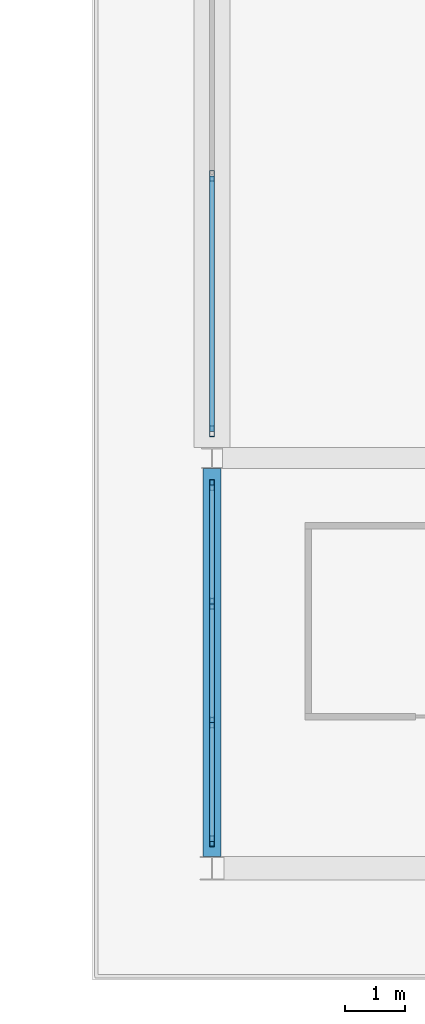
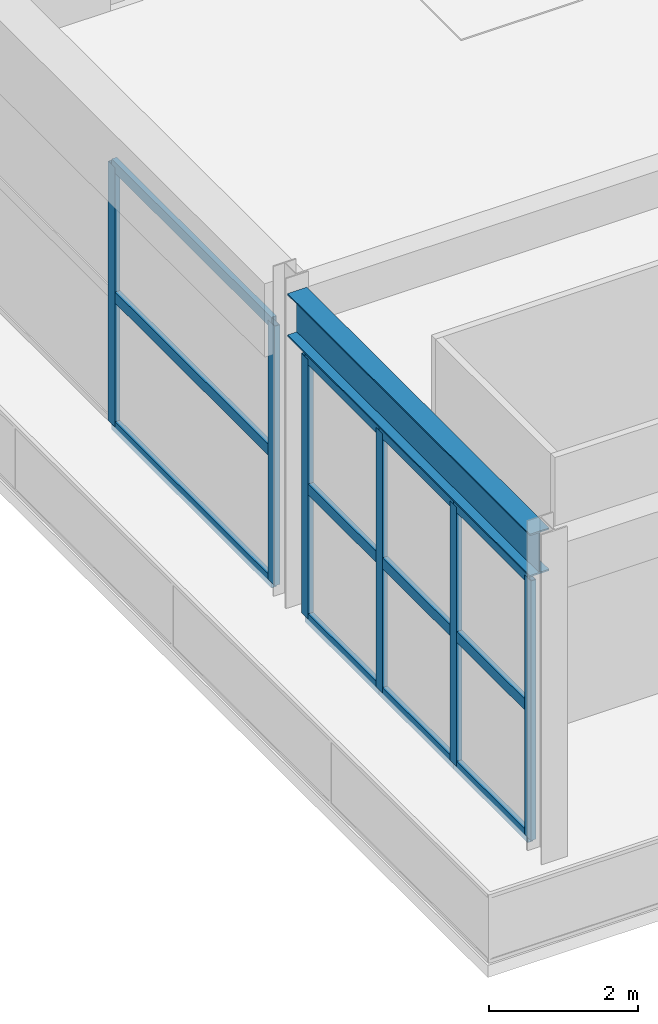
# One storey, part 48 of 117: 18 members, 1 beam, 2 elements without a shape of their own.
"""IFC4 building model written with IfcOpenShell, lengths in metres."""

import ifcopenshell
import ifcopenshell.guid

model = None  # the IFC model being written
_history = None  # IfcOwnerHistory: only IFC2X3 demands one
_inside = {}  # id of a spatial element -> (the spatial element, [elements in it])
_under = {}  # id of a project, library or spatial element -> (it, [spatial elements below it])
_declared = {}  # id of a project -> (the project, [libraries it declares])
_typed = {}  # id of a type object -> (the type object, [elements of that type])
_made_of = {}  # id of a material, layer set ... -> (it, [elements and type objects made of it])


def new_model(schema):
    """Start an empty IFC model of exactly this schema.

    Asked for "IFC4X3", IfcOpenShell would pick the latest addendum, in which some entities
    have other attributes; the version numbers below select the first issue.
    IFC2X3 requires an IfcOwnerHistory on every rooted entity: one is made here for all.
    """
    global model, _history
    if schema == "IFC4X3":
        model = ifcopenshell.file(schema_version=(4, 3, 0, 0))
    else:
        model = ifcopenshell.file(schema=schema)
    _inside.clear()
    _under.clear()
    _declared.clear()
    _typed.clear()
    _made_of.clear()
    _history = None
    if model.schema == "IFC2X3":
        org = make("IfcOrganization", Name="unknown")
        user = make(
            "IfcPersonAndOrganization",
            ThePerson=make("IfcPerson", FamilyName="unknown"),
            TheOrganization=org,
        )
        app = make(
            "IfcApplication",
            ApplicationDeveloper=org,
            Version="unknown",
            ApplicationFullName="unknown",
            ApplicationIdentifier="unknown",
        )
        _history = make(
            "IfcOwnerHistory",
            OwningUser=user,
            OwningApplication=app,
            ChangeAction="ADDED",
            CreationDate=0,
        )
    return model


def make(cls, **values):
    """One entity of the class cls with the attributes given. An attribute that is None is left unset."""
    return model.create_entity(
        cls, **{name: value for name, value in values.items() if value is not None}
    )


def rooted(cls, **values):
    """An entity with a GlobalId (a new one), such as an element, a storey or a relation."""
    return make(cls, GlobalId=ifcopenshell.guid.new(), OwnerHistory=_history, **values)


def si_unit(unit_type, name, prefix=None):
    """IfcSIUnit, for example si_unit("LENGTHUNIT", "METRE", prefix="MILLI")."""
    return make("IfcSIUnit", UnitType=unit_type, Prefix=prefix, Name=name)


def assignment(units):
    """IfcUnitAssignment: the units of a project."""
    return None if units is None else make("IfcUnitAssignment", Units=units)


def point(xyz):
    """IfcCartesianPoint."""
    return None if xyz is None else make("IfcCartesianPoint", Coordinates=xyz)


def direction(xyz):
    """IfcDirection."""
    return None if xyz is None else make("IfcDirection", DirectionRatios=xyz)


def frame(location, z_axis=None, x_axis=None):
    """IfcAxis2Placement3D, a coordinate frame: its origin and axes. An axis left out is left unset."""
    return make(
        "IfcAxis2Placement3D",
        Location=point(location),
        Axis=direction(z_axis),
        RefDirection=direction(x_axis),
    )


def frame_2d(location, x_axis=None):
    """IfcAxis2Placement2D, a coordinate frame in the plane: its origin and x axis."""
    return make(
        "IfcAxis2Placement2D", Location=point(location), RefDirection=direction(x_axis)
    )


def origin():
    """The frame at (0, 0, 0) with its axes left unset."""
    return frame((0.0, 0.0, 0.0))


def origin_2d():
    """The frame at (0, 0) in the plane with its x axis left unset."""
    return frame_2d((0.0, 0.0))


def place(relative_to, where):
    """IfcLocalPlacement: puts the frame where relative to a parent placement (None: the world)."""
    return make(
        "IfcLocalPlacement", PlacementRelTo=relative_to, RelativePlacement=where
    )


def context(
    kind, dimensions, precision=None, world=None, true_north=None, identifier=None
):
    """IfcGeometricRepresentationContext, for example the 3D "Model" context."""
    return make(
        "IfcGeometricRepresentationContext",
        ContextIdentifier=identifier,
        ContextType=kind,
        CoordinateSpaceDimension=dimensions,
        Precision=precision,
        WorldCoordinateSystem=world,
        TrueNorth=true_north,
    )


def subcontext(parent, identifier, kind, view, scale=None):
    """IfcGeometricRepresentationSubContext, for example "Body" below "Model"."""
    return make(
        "IfcGeometricRepresentationSubContext",
        ContextIdentifier=identifier,
        ContextType=kind,
        ParentContext=parent,
        TargetScale=scale,
        TargetView=view,
    )


def project(units=None, contexts=None):
    """IfcProject with its units and contexts."""
    return rooted(
        "IfcProject",
        Name="project",
        RepresentationContexts=contexts,
        UnitsInContext=assignment(units),
    )


def spatial(cls, under=None, at=None, **own):
    """A site, building, storey or space (cls), placed at a placement, below another one or the project."""
    s = rooted(cls, ObjectPlacement=at, **own)
    if under is not None:
        _under.setdefault(under.id(), (under, []))[1].append(s)
    return s


def profile(cls, at=None, kind="AREA", **sizes):
    """A parametric profile (cls). Its sizes go by their IFC names, for example OverallWidth=200.0."""
    return make(cls, ProfileType=kind, Position=at, **sizes)


def hollow_rectangle(**sizes):
    """IfcRectangleHollowProfileDef."""
    return profile("IfcRectangleHollowProfileDef", **sizes)


def i_section(**sizes):
    """IfcIShapeProfileDef."""
    return profile("IfcIShapeProfileDef", **sizes)


def extrude(swept, where, along, depth):
    """IfcExtrudedAreaSolid: the profile swept, set in the frame where, extruded along a direction by depth."""
    return make(
        "IfcExtrudedAreaSolid",
        SweptArea=swept,
        Position=where,
        ExtrudedDirection=direction(along),
        Depth=depth,
    )


def shape(context_of_items, identifier, shape_type, items):
    """IfcShapeRepresentation: the items that make up one representation, for example the "Body"."""
    return make(
        "IfcShapeRepresentation",
        ContextOfItems=context_of_items,
        RepresentationIdentifier=identifier,
        RepresentationType=shape_type,
        Items=items,
    )


def material(Name=None, Category=None):
    """IfcMaterial."""
    return make("IfcMaterial", Name=Name, Category=Category)


def material_profile(
    of_material, cross_section, Name=None, Category=None, Priority=None
):
    """IfcMaterialProfile: a cross section and its material."""
    return make(
        "IfcMaterialProfile",
        Name=Name,
        Material=of_material,
        Profile=cross_section,
        Priority=Priority,
        Category=Category,
    )


def profile_set(profiles, Name=None, composite=None):
    """IfcMaterialProfileSet."""
    return make(
        "IfcMaterialProfileSet",
        Name=Name,
        MaterialProfiles=profiles,
        CompositeProfile=composite,
    )


def made_of(thing, what):
    """Note that an element or type object is made of a material, layer set ...; save() writes the relation."""
    if what is not None:
        _made_of.setdefault(what.id(), (what, []))[1].append(thing)
    return thing


def type_object(cls, material=None, **own):
    """A type object (cls), such as IfcWallType, which elements share."""
    return made_of(rooted(cls, **own), material)


def element(
    cls,
    number,
    at=None,
    inside=None,
    cuts=None,
    type_object=None,
    material=None,
    context=None,
    identifier="Body",
    shape_type=None,
    held_by="IfcProductDefinitionShape",
    body=None,
    shapes=None,
    **own,
):
    """One element of the class cls, such as IfcWall. Its Tag is "e" and its number.

    at: its placement. inside: the storey or other place that contains it. cuts: it is an
    opening in that element (IfcRelVoidsElement). A single representation is given by context,
    identifier, shape_type and body (its items); several are given by shapes. held_by: the class
    of the entity that holds the representations. save() writes the other relations.
    """
    e = rooted(cls, Tag="e%d" % number, ObjectPlacement=at, **own)
    if body is not None:
        shapes = [shape(context, identifier, shape_type, body)]
    if shapes is not None:
        e.Representation = make(held_by, Representations=shapes)
    if inside is not None:
        _inside.setdefault(inside.id(), (inside, []))[1].append(e)
    if cuts is not None:
        rooted(
            "IfcRelVoidsElement", RelatingBuildingElement=cuts, RelatedOpeningElement=e
        )
    if type_object is not None:
        _typed.setdefault(type_object.id(), (type_object, []))[1].append(e)
    return made_of(e, material)


def aggregate(whole, parts):
    """IfcRelAggregates: a whole, such as a stair, and the parts it consists of."""
    return rooted("IfcRelAggregates", RelatingObject=whole, RelatedObjects=parts)


def save(model, path):
    """Write the relations noted so far, then the file.

    IfcRelAggregates (storeys below a building ...), IfcRelContainedInSpatialStructure (elements
    in a storey), IfcRelDefinesByType, IfcRelAssociatesMaterial and IfcRelDeclares: one each for
    every whole, place, type object, material and project.
    """
    for whole, parts in _under.values():
        aggregate(whole, parts)
    for where, things in _inside.values():
        rooted(
            "IfcRelContainedInSpatialStructure",
            RelatedElements=things,
            RelatingStructure=where,
        )
    for kind, things in _typed.values():
        rooted("IfcRelDefinesByType", RelatedObjects=things, RelatingType=kind)
    for what, things in _made_of.values():
        rooted("IfcRelAssociatesMaterial", RelatedObjects=things, RelatingMaterial=what)
    for by, libraries in _declared.values():
        rooted("IfcRelDeclares", RelatingContext=by, RelatedDefinitions=libraries)
    model.write(path)


model = new_model("IFC4")

# Units and contexts
model_context = context("Model", 3, precision=1e-05, world=origin(), true_north=direction((0.0, 1.0)))
body_context = subcontext(model_context, "Body", "Model", "MODEL_VIEW")
ifc_project = project(units=[si_unit("LENGTHUNIT", "METRE"), si_unit("AREAUNIT", "SQUARE_METRE"), si_unit("VOLUMEUNIT", "CUBIC_METRE"), si_unit("PLANEANGLEUNIT", "RADIAN"), si_unit("MASSUNIT", "GRAM", prefix="KILO")], contexts=[model_context])

# Site, building, storey
site_placement = place(None, origin())
site = spatial("IfcSite", under=ifc_project, at=site_placement, CompositionType="ELEMENT")
building_placement = place(site_placement, origin())
building = spatial("IfcBuilding", under=site, at=building_placement, Name="Linyun Crest Stadium", CompositionType="ELEMENT")
storey_placement = place(building_placement, frame((0.0, 0.0, 6.0)))
storey = spatial("IfcBuildingStorey", under=building, at=storey_placement, Name="L02", CompositionType="ELEMENT", Elevation=6.0)

# Beam
ifc_material_1 = material(Name="Steel Q355C", Category="steel")
ifc_material_profile_1 = material_profile(ifc_material_1, i_section(OverallWidth=0.300048828125, OverallDepth=0.699951171875, WebThickness=0.012939453125, FlangeThickness=0.02392578125, at=origin_2d()), Name="HN 700x300")
ifc_profile_set_1 = profile_set([ifc_material_profile_1], Name="Steel Q355C")
beam_type = type_object("IfcBeamType", Name="B12", PredefinedType="BEAM", material=ifc_profile_set_1)
beam_placement = place(storey_placement, frame((58.0, -93.925048828125, 4.800048828125), z_axis=(0.0, 1.0, 0.0), x_axis=(-1.0, 0.0, 0.0)))
element("IfcBeam", 1, at=beam_placement, inside=storey, type_object=beam_type, Name="Frame beam B12 L02 1110", PredefinedType="BEAM", context=body_context, shape_type="SweptSolid", body=[
    extrude(i_section(OverallWidth=0.300048828125, OverallDepth=0.699951171875, WebThickness=0.012939453125, FlangeThickness=0.02392578125, at=origin_2d()), origin(), (0.0, 0.0, 1.0), 6.5),
])

# Curtain wall, members
ifc_material_2 = material(Name="Verdigris steel and low-E curtain wall assembly", Category="steel")
curtain_wall_type = type_object("IfcCurtainWallType", Name="MCW05", PredefinedType="NOTDEFINED", material=ifc_material_2)
curtain_wall_1_placement = place(storey_placement, origin())
curtain_wall_1 = element("IfcCurtainWall", 2, at=curtain_wall_1_placement, inside=storey, type_object=curtain_wall_type, Name="CWR-161", PredefinedType="NOTDEFINED")
ifc_material_3 = material(Name="Verdigris painted steel Q355B mullion", Category="steel")
ifc_material_profile_2 = material_profile(ifc_material_3, hollow_rectangle(XDim=0.080078125, YDim=0.179931640625, WallThickness=0.006103515625, at=origin_2d()), Name="RHS 180x80x6")
ifc_profile_set_2 = profile_set([ifc_material_profile_2], Name="Verdigris painted steel Q355B mullion")
member_type_1 = type_object("IfcMemberType", Name="ML02", PredefinedType="MULLION", material=ifc_profile_set_2)
member_1_placement = place(storey_placement, frame((58.0, -93.675048828125, 0.0), z_axis=(0.0, 0.0, 1.0), x_axis=(-1.0, 0.0, 0.0)))
member_1 = element("IfcMember", 3, at=member_1_placement, type_object=member_type_1, Name="CWR-161 mullion 1", PredefinedType="MULLION", context=body_context, shape_type="SweptSolid", body=[
    extrude(hollow_rectangle(XDim=0.080078125, YDim=0.179931640625, WallThickness=0.006103515625, at=origin_2d()), origin(), (0.0, 0.0, 1.0), 4.25),
])
member_2_placement = place(storey_placement, frame((58.0, -91.68310546875, 0.0), z_axis=(0.0, 0.0, 1.0), x_axis=(-1.0, 0.0, 0.0)))
member_2 = element("IfcMember", 4, at=member_2_placement, type_object=member_type_1, Name="CWR-161 mullion 2", PredefinedType="MULLION", context=body_context, shape_type="SweptSolid", body=[
    extrude(hollow_rectangle(XDim=0.080078125, YDim=0.179931640625, WallThickness=0.006103515625, at=origin_2d()), origin(), (0.0, 0.0, 1.0), 4.25),
])
member_3_placement = place(storey_placement, frame((58.0, -89.69189453125, 0.0), z_axis=(0.0, 0.0, 1.0), x_axis=(-1.0, 0.0, 0.0)))
member_3 = element("IfcMember", 5, at=member_3_placement, type_object=member_type_1, Name="CWR-161 mullion 3", PredefinedType="MULLION", context=body_context, shape_type="SweptSolid", body=[
    extrude(hollow_rectangle(XDim=0.080078125, YDim=0.179931640625, WallThickness=0.006103515625, at=origin_2d()), origin(), (0.0, 0.0, 1.0), 4.25),
])
member_4_placement = place(storey_placement, frame((58.0, -87.699951171875, 0.0), z_axis=(0.0, 0.0, 1.0), x_axis=(-1.0, 0.0, 0.0)))
member_4 = element("IfcMember", 6, at=member_4_placement, type_object=member_type_1, Name="CWR-161 mullion 4", PredefinedType="MULLION", context=body_context, shape_type="SweptSolid", body=[
    extrude(hollow_rectangle(XDim=0.080078125, YDim=0.179931640625, WallThickness=0.006103515625, at=origin_2d()), origin(), (0.0, 0.0, 1.0), 4.25),
])

curtain_wall_2_placement = place(storey_placement, origin())
curtain_wall_2 = element("IfcCurtainWall", 7, at=curtain_wall_2_placement, inside=storey, type_object=curtain_wall_type, Name="CWR-162", PredefinedType="NOTDEFINED")
member_5_placement = place(storey_placement, frame((58.0, -86.800048828125, 0.0), z_axis=(0.0, 0.0, 1.0), x_axis=(-1.0, 0.0, 0.0)))
member_5 = element("IfcMember", 8, at=member_5_placement, type_object=member_type_1, Name="CWR-162 mullion 1", PredefinedType="MULLION", context=body_context, shape_type="SweptSolid", body=[
    extrude(hollow_rectangle(XDim=0.080078125, YDim=0.179931640625, WallThickness=0.006103515625, at=origin_2d()), origin(), (0.0, 0.0, 1.0), 4.25),
])
member_6_placement = place(storey_placement, frame((58.0, -82.51708984375, 0.0), z_axis=(0.0, 0.0, 1.0), x_axis=(-1.0, 0.0, 0.0)))
member_6 = element("IfcMember", 9, at=member_6_placement, type_object=member_type_1, Name="CWR-162 mullion 2", PredefinedType="MULLION", context=body_context, shape_type="SweptSolid", body=[
    extrude(hollow_rectangle(XDim=0.080078125, YDim=0.179931640625, WallThickness=0.006103515625, at=origin_2d()), origin(), (0.0, 0.0, 1.0), 4.25),
])

# Member
ifc_material_4 = material(Name="Verdigris painted steel Q355B transom", Category="steel")
ifc_material_profile_3 = material_profile(ifc_material_4, hollow_rectangle(XDim=0.080078125, YDim=0.179931640625, WallThickness=0.006103515625, at=origin_2d()), Name="RHS 180x80x6")
ifc_profile_set_3 = profile_set([ifc_material_profile_3], Name="Verdigris painted steel Q355B transom")
member_type_2 = type_object("IfcMemberType", Name="TR02", PredefinedType="USERDEFINED", material=ifc_profile_set_3)
member_7_placement = place(storey_placement, frame((58.0, -93.675048828125, 0.0), z_axis=(0.0, 1.0, 0.0), x_axis=(-1.0, 0.0, 0.0)))
member_7 = element("IfcMember", 10, at=member_7_placement, type_object=member_type_2, Name="CWR-161 transom 1.1", ObjectType="TRANSOM", PredefinedType="USERDEFINED", context=body_context, shape_type="SweptSolid", body=[
    extrude(hollow_rectangle(XDim=0.080078125, YDim=0.179931640625, WallThickness=0.006103515625, at=origin_2d()), origin(), (0.0, 0.0, 1.0), 1.991943359375),
])

member_8_placement = place(storey_placement, frame((58.0, -93.675048828125, 2.125), z_axis=(0.0, 1.0, 0.0), x_axis=(-1.0, 0.0, 0.0)))
member_8 = element("IfcMember", 11, at=member_8_placement, type_object=member_type_2, Name="CWR-161 transom 1.2", ObjectType="TRANSOM", PredefinedType="USERDEFINED", context=body_context, shape_type="SweptSolid", body=[
    extrude(hollow_rectangle(XDim=0.080078125, YDim=0.179931640625, WallThickness=0.006103515625, at=origin_2d()), origin(), (0.0, 0.0, 1.0), 1.991943359375),
])

member_9_placement = place(storey_placement, frame((58.0, -93.675048828125, 4.25), z_axis=(0.0, 1.0, 0.0), x_axis=(-1.0, 0.0, 0.0)))
member_9 = element("IfcMember", 12, at=member_9_placement, type_object=member_type_2, Name="CWR-161 transom 1.3", ObjectType="TRANSOM", PredefinedType="USERDEFINED", context=body_context, shape_type="SweptSolid", body=[
    extrude(hollow_rectangle(XDim=0.080078125, YDim=0.179931640625, WallThickness=0.006103515625, at=origin_2d()), origin(), (0.0, 0.0, 1.0), 1.991943359375),
])

member_10_placement = place(storey_placement, frame((58.0, -91.68310546875, 0.0), z_axis=(0.0, 1.0, 0.0), x_axis=(-1.0, 0.0, 0.0)))
member_10 = element("IfcMember", 13, at=member_10_placement, type_object=member_type_2, Name="CWR-161 transom 2.1", ObjectType="TRANSOM", PredefinedType="USERDEFINED", context=body_context, shape_type="SweptSolid", body=[
    extrude(hollow_rectangle(XDim=0.080078125, YDim=0.179931640625, WallThickness=0.006103515625, at=origin_2d()), origin(), (0.0, 0.0, 1.0), 1.9912109375),
])

member_11_placement = place(storey_placement, frame((58.0, -91.68310546875, 2.125), z_axis=(0.0, 1.0, 0.0), x_axis=(-1.0, 0.0, 0.0)))
member_11 = element("IfcMember", 14, at=member_11_placement, type_object=member_type_2, Name="CWR-161 transom 2.2", ObjectType="TRANSOM", PredefinedType="USERDEFINED", context=body_context, shape_type="SweptSolid", body=[
    extrude(hollow_rectangle(XDim=0.080078125, YDim=0.179931640625, WallThickness=0.006103515625, at=origin_2d()), origin(), (0.0, 0.0, 1.0), 1.9912109375),
])

member_12_placement = place(storey_placement, frame((58.0, -91.68310546875, 4.25), z_axis=(0.0, 1.0, 0.0), x_axis=(-1.0, 0.0, 0.0)))
member_12 = element("IfcMember", 15, at=member_12_placement, type_object=member_type_2, Name="CWR-161 transom 2.3", ObjectType="TRANSOM", PredefinedType="USERDEFINED", context=body_context, shape_type="SweptSolid", body=[
    extrude(hollow_rectangle(XDim=0.080078125, YDim=0.179931640625, WallThickness=0.006103515625, at=origin_2d()), origin(), (0.0, 0.0, 1.0), 1.9912109375),
])

member_13_placement = place(storey_placement, frame((58.0, -89.69189453125, 0.0), z_axis=(0.0, 1.0, 0.0), x_axis=(-1.0, 0.0, 0.0)))
member_13 = element("IfcMember", 16, at=member_13_placement, type_object=member_type_2, Name="CWR-161 transom 3.1", ObjectType="TRANSOM", PredefinedType="USERDEFINED", context=body_context, shape_type="SweptSolid", body=[
    extrude(hollow_rectangle(XDim=0.080078125, YDim=0.179931640625, WallThickness=0.006103515625, at=origin_2d()), origin(), (0.0, 0.0, 1.0), 1.991943359375),
])

member_14_placement = place(storey_placement, frame((58.0, -89.69189453125, 2.125), z_axis=(0.0, 1.0, 0.0), x_axis=(-1.0, 0.0, 0.0)))
member_14 = element("IfcMember", 17, at=member_14_placement, type_object=member_type_2, Name="CWR-161 transom 3.2", ObjectType="TRANSOM", PredefinedType="USERDEFINED", context=body_context, shape_type="SweptSolid", body=[
    extrude(hollow_rectangle(XDim=0.080078125, YDim=0.179931640625, WallThickness=0.006103515625, at=origin_2d()), origin(), (0.0, 0.0, 1.0), 1.991943359375),
])

member_15_placement = place(storey_placement, frame((58.0, -89.69189453125, 4.25), z_axis=(0.0, 1.0, 0.0), x_axis=(-1.0, 0.0, 0.0)))
member_15 = element("IfcMember", 18, at=member_15_placement, type_object=member_type_2, Name="CWR-161 transom 3.3", ObjectType="TRANSOM", PredefinedType="USERDEFINED", context=body_context, shape_type="SweptSolid", body=[
    extrude(hollow_rectangle(XDim=0.080078125, YDim=0.179931640625, WallThickness=0.006103515625, at=origin_2d()), origin(), (0.0, 0.0, 1.0), 1.991943359375),
])

aggregate(curtain_wall_1, [member_1, member_2, member_3, member_4, member_7, member_8, member_9, member_10, member_11, member_12, member_13, member_14, member_15])

member_16_placement = place(storey_placement, frame((58.0, -86.800048828125, 0.0), z_axis=(0.0, 1.0, 0.0), x_axis=(-1.0, 0.0, 0.0)))
member_16 = element("IfcMember", 19, at=member_16_placement, type_object=member_type_2, Name="CWR-162 transom 1.1", ObjectType="TRANSOM", PredefinedType="USERDEFINED", context=body_context, shape_type="SweptSolid", body=[
    extrude(hollow_rectangle(XDim=0.080078125, YDim=0.179931640625, WallThickness=0.006103515625, at=origin_2d()), origin(), (0.0, 0.0, 1.0), 4.282958984375),
])

member_17_placement = place(storey_placement, frame((58.0, -86.800048828125, 2.125), z_axis=(0.0, 1.0, 0.0), x_axis=(-1.0, 0.0, 0.0)))
member_17 = element("IfcMember", 20, at=member_17_placement, type_object=member_type_2, Name="CWR-162 transom 1.2", ObjectType="TRANSOM", PredefinedType="USERDEFINED", context=body_context, shape_type="SweptSolid", body=[
    extrude(hollow_rectangle(XDim=0.080078125, YDim=0.179931640625, WallThickness=0.006103515625, at=origin_2d()), origin(), (0.0, 0.0, 1.0), 4.282958984375),
])

member_18_placement = place(storey_placement, frame((58.0, -86.800048828125, 4.25), z_axis=(0.0, 1.0, 0.0), x_axis=(-1.0, 0.0, 0.0)))
member_18 = element("IfcMember", 21, at=member_18_placement, type_object=member_type_2, Name="CWR-162 transom 1.3", ObjectType="TRANSOM", PredefinedType="USERDEFINED", context=body_context, shape_type="SweptSolid", body=[
    extrude(hollow_rectangle(XDim=0.080078125, YDim=0.179931640625, WallThickness=0.006103515625, at=origin_2d()), origin(), (0.0, 0.0, 1.0), 4.282958984375),
])

aggregate(curtain_wall_2, [member_5, member_6, member_16, member_17, member_18])

save(model, "model.ifc")
